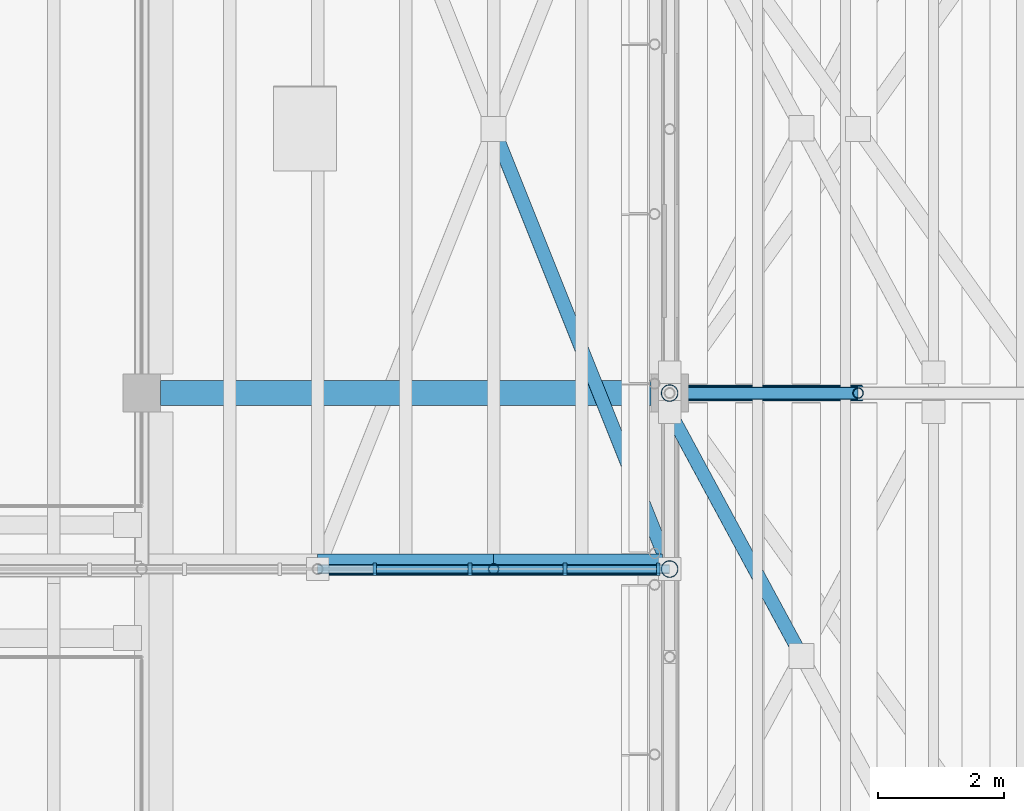
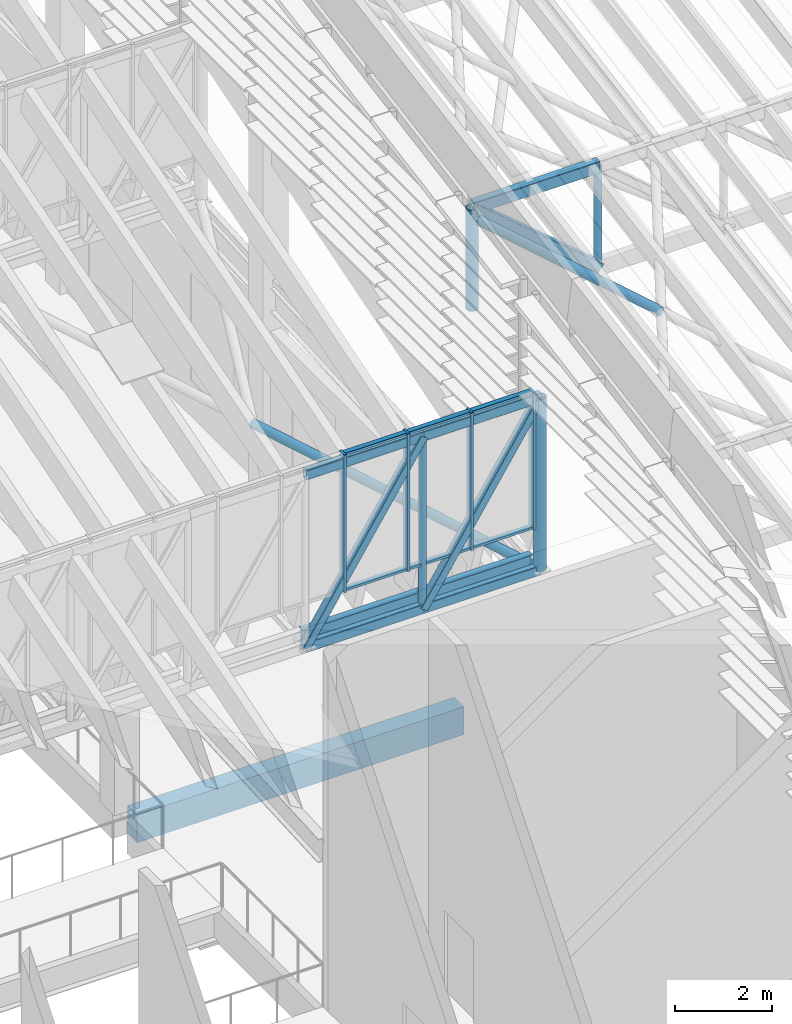
# One storey, part 21 of 91: 24 members, 3 beams, 1 element without a shape of its own.
"""IFC4 building model written with IfcOpenShell, lengths in metres."""

from ifc_helpers import new_model, si_unit, direction, frame, origin, origin_2d, place, context, subcontext, project, spatial, rectangle, hollow_rectangle, hollow_circle, i_section, extrude, material, material_profile, profile_set, type_object, element, aggregate, save


model = new_model("IFC4")

# Units and contexts
model_context = context("Model", 3, precision=1e-05, world=origin(), true_north=direction((0.0, 1.0)))
body_context = subcontext(model_context, "Body", "Model", "MODEL_VIEW")
ifc_project = project(units=[si_unit("LENGTHUNIT", "METRE"), si_unit("AREAUNIT", "SQUARE_METRE"), si_unit("VOLUMEUNIT", "CUBIC_METRE"), si_unit("PLANEANGLEUNIT", "RADIAN"), si_unit("MASSUNIT", "GRAM", prefix="KILO")], contexts=[model_context])

# Site, building, storey
site_placement = place(None, origin())
site = spatial("IfcSite", under=ifc_project, at=site_placement, CompositionType="ELEMENT")
building_placement = place(site_placement, origin())
building = spatial("IfcBuilding", under=site, at=building_placement, Name="Almond Square Museum", CompositionType="ELEMENT")
storey_placement = place(building_placement, frame((0.0, 0.0, 30.0)))
storey = spatial("IfcBuildingStorey", under=building, at=storey_placement, Name="L05", CompositionType="ELEMENT", Elevation=30.0)

# Curtain wall, members
ifc_material_1 = material(Name="Aluminium and laminated glass", Category="aluminium")
curtain_wall_type = type_object("IfcCurtainWallType", Name="Unitised curtain wall 1500 module", PredefinedType="NOTDEFINED", material=ifc_material_1)
curtain_wall_placement = place(storey_placement, origin())
curtain_wall = element("IfcCurtainWall", 1, at=curtain_wall_placement, inside=storey, type_object=curtain_wall_type, Name="Rooflight glazing AG1", PredefinedType="NOTDEFINED")
ifc_material_2 = material(Name="Anodised aluminium", Category="aluminium")
ifc_material_profile_1 = material_profile(ifc_material_2, rectangle(XDim=0.199951171875, YDim=0.06005859375, at=origin_2d()))
ifc_profile_set_1 = profile_set([ifc_material_profile_1], Name="Anodised aluminium")
member_type_1 = type_object("IfcMemberType", Name="Aluminium mullion 60 x 200", PredefinedType="MULLION", material=ifc_profile_set_1)
member_1_placement = place(storey_placement, frame((102.109130859375, 81.199951171875, 5.800048828125), z_axis=(0.0, 0.0, 1.0), x_axis=(0.0, 1.0, 0.0)))
member_1 = element("IfcMember", 2, at=member_1_placement, type_object=member_type_1, Name="CW-56 mullion 20", PredefinedType="MULLION", context=body_context, shape_type="SweptSolid", body=[
    extrude(rectangle(XDim=0.199951171875, YDim=0.06005859375, at=origin_2d()), origin(), (0.0, 0.0, 1.0), 3.480224609375),
])
member_2_placement = place(storey_placement, frame((103.622802734375, 81.199951171875, 5.800048828125), z_axis=(0.0, 0.0, 1.0), x_axis=(0.0, 1.0, 0.0)))
member_2 = element("IfcMember", 3, at=member_2_placement, type_object=member_type_1, Name="CW-56 mullion 21", PredefinedType="MULLION", context=body_context, shape_type="SweptSolid", body=[
    extrude(rectangle(XDim=0.199951171875, YDim=0.06005859375, at=origin_2d()), origin(), (0.0, 0.0, 1.0), 3.480224609375),
])
member_3_placement = place(storey_placement, frame((105.136474609375, 81.199951171875, 5.800048828125), z_axis=(0.0, 0.0, 1.0), x_axis=(0.0, 1.0, 0.0)))
member_3 = element("IfcMember", 4, at=member_3_placement, type_object=member_type_1, Name="CW-56 mullion 22", PredefinedType="MULLION", context=body_context, shape_type="SweptSolid", body=[
    extrude(rectangle(XDim=0.199951171875, YDim=0.06005859375, at=origin_2d()), origin(), (0.0, 0.0, 1.0), 3.480224609375),
])
member_4_placement = place(storey_placement, frame((106.6201171875, 81.199951171875, 5.800048828125), z_axis=(0.0, 0.0, 1.0), x_axis=(0.0, 1.0, 0.0)))
member_4 = element("IfcMember", 5, at=member_4_placement, type_object=member_type_1, Name="CW-56 mullion 23", PredefinedType="MULLION", context=body_context, shape_type="SweptSolid", body=[
    extrude(rectangle(XDim=0.199951171875, YDim=0.06005859375, at=origin_2d()), origin(), (0.0, 0.0, 1.0), 3.480224609375),
])
ifc_material_3 = material(Name="Anodised aluminium", Category="aluminium")
ifc_material_profile_2 = material_profile(ifc_material_3, rectangle(XDim=0.1201171875, YDim=0.06005859375, at=origin_2d()))
ifc_profile_set_2 = profile_set([ifc_material_profile_2], Name="Anodised aluminium")
member_type_2 = type_object("IfcMemberType", Name="Aluminium transom 60 x 120", PredefinedType="USERDEFINED", material=ifc_profile_set_2)
member_5_placement = place(storey_placement, frame((102.13916015625, 81.199951171875, 5.830078125), z_axis=(1.0, 0.0, 0.0), x_axis=(0.0, 1.0, 0.0)))
member_5 = element("IfcMember", 6, at=member_5_placement, type_object=member_type_2, Name="CW-56 transom 20.1", ObjectType="TRANSOM", PredefinedType="USERDEFINED", context=body_context, shape_type="SweptSolid", body=[
    extrude(rectangle(XDim=0.1201171875, YDim=0.06005859375, at=origin_2d()), origin(), (0.0, 0.0, 1.0), 1.45361328125),
])
member_6_placement = place(storey_placement, frame((102.13916015625, 81.199951171875, 9.250244140625), z_axis=(1.0, 0.0, 0.0), x_axis=(0.0, 1.0, 0.0)))
member_6 = element("IfcMember", 7, at=member_6_placement, type_object=member_type_2, Name="CW-56 transom 20.2", ObjectType="TRANSOM", PredefinedType="USERDEFINED", context=body_context, shape_type="SweptSolid", body=[
    extrude(rectangle(XDim=0.1201171875, YDim=0.06005859375, at=origin_2d()), origin(), (0.0, 0.0, 1.0), 1.45361328125),
])
member_7_placement = place(storey_placement, frame((103.65283203125, 81.199951171875, 5.830078125), z_axis=(1.0, 0.0, 0.0), x_axis=(0.0, 1.0, 0.0)))
member_7 = element("IfcMember", 8, at=member_7_placement, type_object=member_type_2, Name="CW-56 transom 21.1", ObjectType="TRANSOM", PredefinedType="USERDEFINED", context=body_context, shape_type="SweptSolid", body=[
    extrude(rectangle(XDim=0.1201171875, YDim=0.06005859375, at=origin_2d()), origin(), (0.0, 0.0, 1.0), 1.45361328125),
])
member_8_placement = place(storey_placement, frame((103.65283203125, 81.199951171875, 9.250244140625), z_axis=(1.0, 0.0, 0.0), x_axis=(0.0, 1.0, 0.0)))
member_8 = element("IfcMember", 9, at=member_8_placement, type_object=member_type_2, Name="CW-56 transom 21.2", ObjectType="TRANSOM", PredefinedType="USERDEFINED", context=body_context, shape_type="SweptSolid", body=[
    extrude(rectangle(XDim=0.1201171875, YDim=0.06005859375, at=origin_2d()), origin(), (0.0, 0.0, 1.0), 1.45361328125),
])
member_9_placement = place(storey_placement, frame((105.166259765625, 81.199951171875, 5.830078125), z_axis=(1.0, 0.0, 0.0), x_axis=(0.0, 1.0, 0.0)))
member_9 = element("IfcMember", 10, at=member_9_placement, type_object=member_type_2, Name="CW-56 transom 22.1", ObjectType="TRANSOM", PredefinedType="USERDEFINED", context=body_context, shape_type="SweptSolid", body=[
    extrude(rectangle(XDim=0.1201171875, YDim=0.06005859375, at=origin_2d()), origin(), (0.0, 0.0, 1.0), 1.423828125),
])
member_10_placement = place(storey_placement, frame((105.166259765625, 81.199951171875, 9.250244140625), z_axis=(1.0, 0.0, 0.0), x_axis=(0.0, 1.0, 0.0)))
member_10 = element("IfcMember", 11, at=member_10_placement, type_object=member_type_2, Name="CW-56 transom 22.2", ObjectType="TRANSOM", PredefinedType="USERDEFINED", context=body_context, shape_type="SweptSolid", body=[
    extrude(rectangle(XDim=0.1201171875, YDim=0.06005859375, at=origin_2d()), origin(), (0.0, 0.0, 1.0), 1.423828125),
])
aggregate(curtain_wall, [member_1, member_2, member_3, member_4, member_5, member_6, member_7, member_8, member_9, member_10])

# Beam
ifc_material_4 = material(Name="Concrete C40/50", Category="concrete")
ifc_material_profile_3 = material_profile(ifc_material_4, rectangle(XDim=0.39990234375, YDim=0.699951171875, at=origin_2d()))
ifc_profile_set_3 = profile_set([ifc_material_profile_3], Name="Concrete C40/50")
beam_type_1 = type_object("IfcBeamType", Name="RC beam 400 x 700 C40/50", PredefinedType="BEAM", material=ifc_profile_set_3)
beam_1_placement = place(storey_placement, frame((98.699951171875, 84.0, -0.60009765625), z_axis=(1.0, 0.0, 0.0), x_axis=(0.0, 1.0, 0.0)))
element("IfcBeam", 12, at=beam_1_placement, inside=storey, type_object=beam_type_1, Name="Beam K 13-14 L05", PredefinedType="BEAM", context=body_context, shape_type="SweptSolid", body=[
    extrude(rectangle(XDim=0.39990234375, YDim=0.699951171875, at=origin_2d()), origin(), (0.0, 0.0, 1.0), 7.800048828125),
])

# Members
ifc_material_5 = material(Name="Structural steel S355", Category="steel")
ifc_material_profile_4 = material_profile(ifc_material_5, hollow_circle(Radius=0.109619140625, WallThickness=0.010009765625, at=origin_2d()))
ifc_profile_set_4 = profile_set([ifc_material_profile_4], Name="Structural steel S355")
member_type_3 = type_object("IfcMemberType", Name="Roof brace CHS 219.1x10", PredefinedType="BRACE", material=ifc_profile_set_4)
member_11_placement = place(storey_placement, frame((106.800048828125, 81.199951171875, 4.705078125), z_axis=(-0.370874256532, 0.927169472778, 0.053000514993), x_axis=(-0.928474457584, -0.371396259558, 0.0)))
element("IfcMember", 13, at=member_11_placement, inside=storey, type_object=member_type_3, Name="Atrium bay 1 plan brace", PredefinedType="BRACE", context=body_context, shape_type="SweptSolid", body=[
    extrude(hollow_circle(Radius=0.109619140625, WallThickness=0.010009765625, at=origin_2d()), origin(), (0.0, 0.0, 1.0), 7.5498046875),
])
member_12_placement = place(storey_placement, frame((108.89990234375, 79.81494140625, 11.292236328125), z_axis=(-0.469952995123, 0.869475876223, 0.152170572191), x_axis=(-0.87972088867, -0.47549043948, 0.0)))
element("IfcMember", 14, at=member_12_placement, inside=storey, type_object=member_type_3, Name="Hall roof plane brace 4", PredefinedType="BRACE", context=body_context, shape_type="SweptSolid", body=[
    extrude(hollow_circle(Radius=0.109619140625, WallThickness=0.010009765625, at=origin_2d()), origin(), (0.0, 0.0, 1.0), 4.46826171875),
])
ifc_material_6 = material(Name="Structural steel S355", Category="steel")
ifc_material_profile_5 = material_profile(ifc_material_6, hollow_rectangle(XDim=0.14990234375, YDim=0.25, WallThickness=0.010009765625, InnerFilletRadius=0.014892578125, OuterFilletRadius=0.02490234375, at=origin_2d()))
ifc_profile_set_5 = profile_set([ifc_material_profile_5], Name="Structural steel S355")
member_type_4 = type_object("IfcMemberType", Name="Truss chord RHS 250x150x10", PredefinedType="CHORD", material=ifc_profile_set_5)
for number, where, z_axis, x_axis, name in (
    (15, (101.199951171875, 81.199951171875, 9.05078125), (1.0, 0.0, 0.0), (0.0, 1.0, 0.0), "TR-10 top chord 11"),
    (16, (101.199951171875, 81.199951171875, 4.705078125), (1.0, 0.0, 0.0), (0.0, 1.0, 0.0), "TR-10 bottom chord 11"),
    (17, (104.0, 81.199951171875, 9.05078125), (1.0, 0.0, 0.0), (0.0, 1.0, 0.0), "TR-10 top chord 12"),
    (18, (104.0, 81.199951171875, 4.705078125), (1.0, 0.0, 0.0), (0.0, 1.0, 0.0), "TR-10 bottom chord 12"),
):
    element("IfcMember", number, at=place(storey_placement, frame(where, z_axis=z_axis, x_axis=x_axis)), inside=storey, type_object=member_type_4, Name=name, PredefinedType="CHORD", context=body_context, shape_type="SweptSolid", body=[
        extrude(hollow_rectangle(XDim=0.14990234375, YDim=0.25, WallThickness=0.010009765625, InnerFilletRadius=0.014892578125, OuterFilletRadius=0.02490234375, at=origin_2d()), origin(), (0.0, 0.0, 1.0), 2.800048828125),
    ])
ifc_material_7 = material(Name="Structural steel S355", Category="steel")
ifc_material_profile_6 = material_profile(ifc_material_7, hollow_rectangle(XDim=0.199951171875, YDim=0.300048828125, WallThickness=0.010009765625, InnerFilletRadius=0.014892578125, OuterFilletRadius=0.02490234375, at=origin_2d()))
ifc_profile_set_6 = profile_set([ifc_material_profile_6], Name="Structural steel S355")
member_type_5 = type_object("IfcMemberType", Name="Truss chord RHS 300x200x10", PredefinedType="CHORD", material=ifc_profile_set_6)
member_13_placement = place(storey_placement, frame((106.800048828125, 84.0, 12.12841796875), z_axis=(1.0, 0.0, 0.0), x_axis=(0.0, 1.0, 0.0)))
element("IfcMember", 19, at=member_13_placement, inside=storey, type_object=member_type_5, Name="TR-05 top chord 1", PredefinedType="CHORD", context=body_context, shape_type="SweptSolid", body=[
    extrude(hollow_rectangle(XDim=0.199951171875, YDim=0.300048828125, WallThickness=0.010009765625, InnerFilletRadius=0.014892578125, OuterFilletRadius=0.02490234375, at=origin_2d()), origin(), (0.0, 0.0, 1.0), 3.0),
])
ifc_material_8 = material(Name="Structural steel S355", Category="steel")
ifc_material_profile_7 = material_profile(ifc_material_8, hollow_rectangle(XDim=0.199951171875, YDim=0.199951171875, WallThickness=0.010009765625, InnerFilletRadius=0.014892578125, OuterFilletRadius=0.02490234375, at=origin_2d()))
ifc_profile_set_7 = profile_set([ifc_material_profile_7], Name="Structural steel S355")
member_type_6 = type_object("IfcMemberType", Name="Truss diagonal SHS 200x200x10", PredefinedType="BRACE", material=ifc_profile_set_7)
for number, where, z_axis, x_axis, name in (
    (20, (101.199951171875, 81.199951171875, 4.705078125), (0.541630888831, 0.0, 0.840616428738), (0.0, 1.0, 0.0), "TR-10 diagonal 11"),
    (21, (104.0, 81.199951171875, 4.705078125), (0.541630888831, 0.0, 0.840616428738), (0.0, 1.0, 0.0), "TR-10 diagonal 12"),
):
    element("IfcMember", number, at=place(storey_placement, frame(where, z_axis=z_axis, x_axis=x_axis)), inside=storey, type_object=member_type_6, Name=name, PredefinedType="BRACE", context=body_context, shape_type="SweptSolid", body=[
        extrude(hollow_rectangle(XDim=0.199951171875, YDim=0.199951171875, WallThickness=0.010009765625, InnerFilletRadius=0.014892578125, OuterFilletRadius=0.02490234375, at=origin_2d()), origin(), (0.0, 0.0, 1.0), 5.169677734375),
    ])
ifc_material_9 = material(Name="Structural steel S355", Category="steel")
ifc_material_profile_8 = material_profile(ifc_material_9, hollow_rectangle(XDim=0.25, YDim=0.25, WallThickness=0.012451171875, InnerFilletRadius=0.02490234375, OuterFilletRadius=0.03759765625, at=origin_2d()))
ifc_profile_set_8 = profile_set([ifc_material_profile_8], Name="Structural steel S355")
member_type_7 = type_object("IfcMemberType", Name="Truss diagonal SHS 250x250x12.5", PredefinedType="BRACE", material=ifc_profile_set_8)
member_14_placement = place(storey_placement, frame((106.800048828125, 84.0, 12.12841796875), z_axis=(0.762147404437, 0.0, -0.647403532513), x_axis=(0.0, 1.0, 0.0)))
element("IfcMember", 22, at=member_14_placement, inside=storey, type_object=member_type_7, Name="TR-05 diagonal 1", PredefinedType="BRACE", context=body_context, shape_type="SweptSolid", body=[
    extrude(hollow_rectangle(XDim=0.25, YDim=0.25, WallThickness=0.012451171875, InnerFilletRadius=0.02490234375, OuterFilletRadius=0.03759765625, at=origin_2d()), origin(), (0.0, 0.0, 1.0), 3.936279296875),
])
ifc_material_10 = material(Name="Structural steel S355", Category="steel")
ifc_material_profile_9 = material_profile(ifc_material_10, hollow_circle(Radius=0.084228515625, WallThickness=0.008056640625, at=origin_2d()))
ifc_profile_set_9 = profile_set([ifc_material_profile_9], Name="Structural steel S355")
member_type_8 = type_object("IfcMemberType", Name="Truss post CHS 168.3x8", PredefinedType="POST", material=ifc_profile_set_9)
member_15_placement = place(storey_placement, frame((109.800048828125, 84.0, 9.580078125), z_axis=(0.0, 0.0, 1.0), x_axis=(1.0, 0.0, 0.0)))
element("IfcMember", 23, at=member_15_placement, inside=storey, type_object=member_type_8, Name="TR-05 post 2", PredefinedType="POST", context=body_context, shape_type="SweptSolid", body=[
    extrude(hollow_circle(Radius=0.084228515625, WallThickness=0.008056640625, at=origin_2d()), origin(), (0.0, 0.0, 1.0), 2.54833984375),
])
member_16_placement = place(storey_placement, frame((104.0, 81.199951171875, 4.705078125), z_axis=(0.0, 0.0, 1.0), x_axis=(1.0, 0.0, 0.0)))
element("IfcMember", 24, at=member_16_placement, inside=storey, type_object=member_type_8, Name="TR-10 post 12", PredefinedType="POST", context=body_context, shape_type="SweptSolid", body=[
    extrude(hollow_circle(Radius=0.084228515625, WallThickness=0.008056640625, at=origin_2d()), origin(), (0.0, 0.0, 1.0), 4.345703125),
])
ifc_material_11 = material(Name="Structural steel S355", Category="steel")
ifc_material_profile_10 = material_profile(ifc_material_11, hollow_circle(Radius=0.136474609375, WallThickness=0.012451171875, at=origin_2d()))
ifc_profile_set_10 = profile_set([ifc_material_profile_10], Name="Structural steel S355")
member_type_9 = type_object("IfcMemberType", Name="Truss post CHS 273x12.5", PredefinedType="POST", material=ifc_profile_set_10)
member_17_placement = place(storey_placement, frame((106.800048828125, 84.0, 9.580078125), z_axis=(0.0, 0.0, 1.0), x_axis=(1.0, 0.0, 0.0)))
element("IfcMember", 25, at=member_17_placement, inside=storey, type_object=member_type_9, Name="TR-05 post 1", PredefinedType="POST", context=body_context, shape_type="SweptSolid", body=[
    extrude(hollow_circle(Radius=0.136474609375, WallThickness=0.012451171875, at=origin_2d()), origin(), (0.0, 0.0, 1.0), 2.54833984375),
])
member_18_placement = place(storey_placement, frame((106.800048828125, 81.199951171875, 4.705078125), z_axis=(0.0, 0.0, 1.0), x_axis=(1.0, 0.0, 0.0)))
element("IfcMember", 26, at=member_18_placement, inside=storey, type_object=member_type_9, Name="TR-10 post 13", PredefinedType="POST", context=body_context, shape_type="SweptSolid", body=[
    extrude(hollow_circle(Radius=0.136474609375, WallThickness=0.012451171875, at=origin_2d()), origin(), (0.0, 0.0, 1.0), 4.345703125),
])

# Beams
ifc_material_12 = material(Name="Structural steel S355", Category="steel")
ifc_material_profile_11 = material_profile(ifc_material_12, i_section(OverallWidth=0.166015625, OverallDepth=0.528076171875, WebThickness=0.009765625, FlangeThickness=0.013671875, at=origin_2d()))
ifc_profile_set_11 = profile_set([ifc_material_profile_11], Name="Structural steel S355")
beam_type_2 = type_object("IfcBeamType", Name="Valley beam W530x74", PredefinedType="BEAM", material=ifc_profile_set_11)
beam_2_placement = place(storey_placement, frame((101.199951171875, 81.35791015625, 4.787841796875), z_axis=(1.0, 0.0, 0.0), x_axis=(0.0, 1.0, 0.0)))
element("IfcBeam", 27, at=beam_2_placement, inside=storey, type_object=beam_type_2, Name="Atrium valley beam 1.11", PredefinedType="BEAM", context=body_context, shape_type="SweptSolid", body=[
    extrude(i_section(OverallWidth=0.166015625, OverallDepth=0.528076171875, WebThickness=0.009765625, FlangeThickness=0.013671875, at=origin_2d()), origin(), (0.0, 0.0, 1.0), 2.800048828125),
])
beam_3_placement = place(storey_placement, frame((104.0, 81.35791015625, 4.787841796875), z_axis=(1.0, 0.0, 0.0), x_axis=(0.0, 1.0, 0.0)))
element("IfcBeam", 28, at=beam_3_placement, inside=storey, type_object=beam_type_2, Name="Atrium valley beam 1.12", PredefinedType="BEAM", context=body_context, shape_type="SweptSolid", body=[
    extrude(i_section(OverallWidth=0.166015625, OverallDepth=0.528076171875, WebThickness=0.009765625, FlangeThickness=0.013671875, at=origin_2d()), origin(), (0.0, 0.0, 1.0), 2.68603515625),
])

save(model, "model.ifc")
